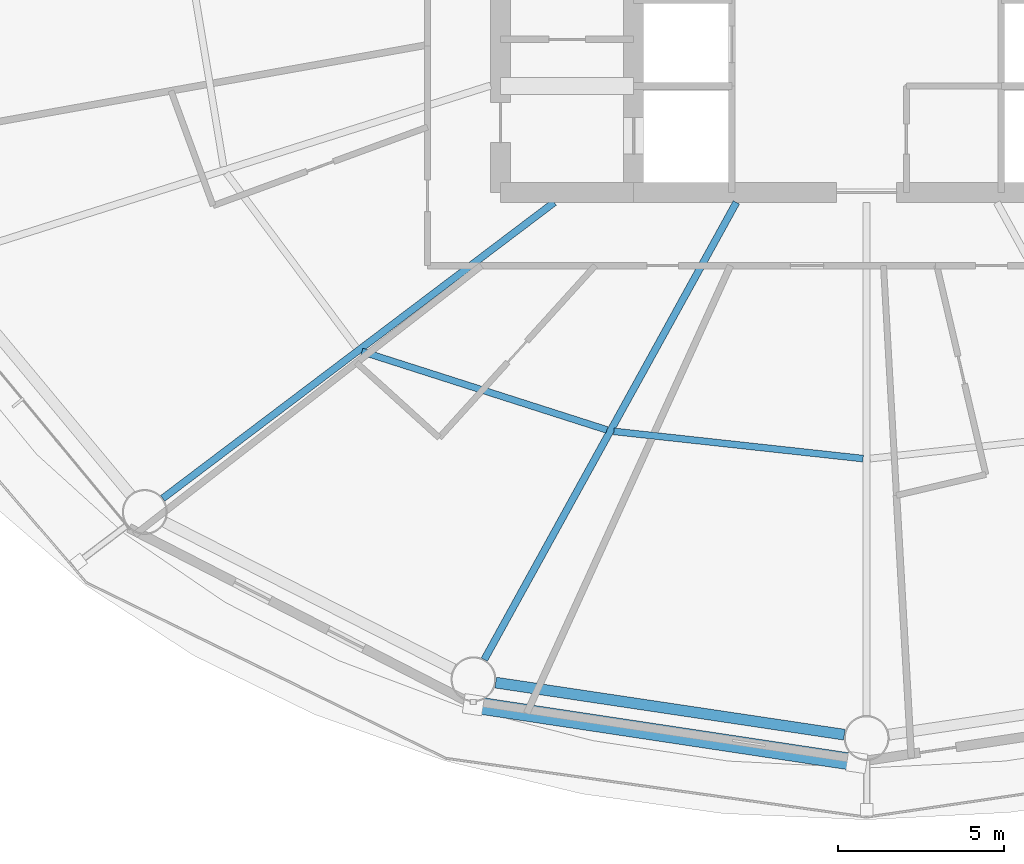
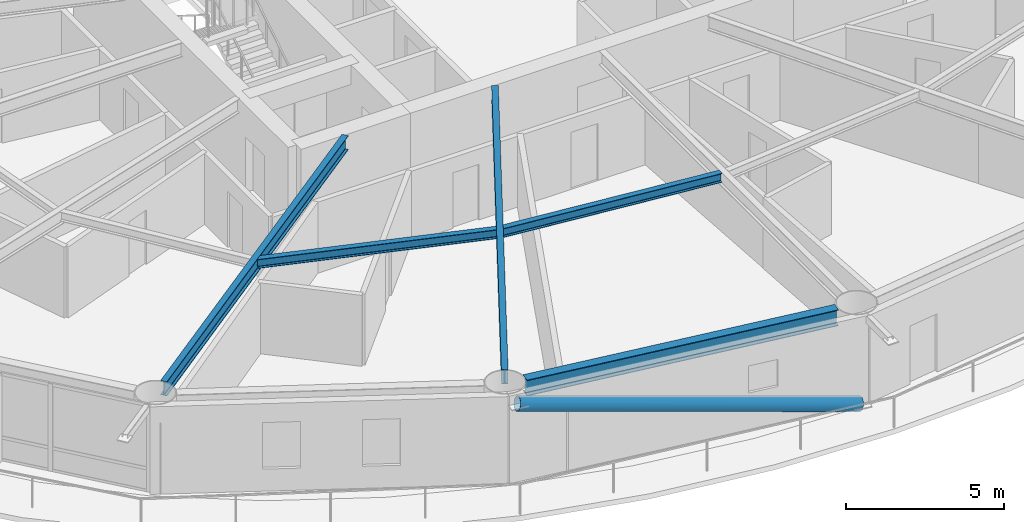
# One storey, part 3 of 26: 5 beams, 1 member.
"""IFC4 building model written with IfcOpenShell, lengths in metres."""

from ifc_helpers import new_model, si_unit, direction, frame, origin, origin_2d, place, context, subcontext, project, spatial, hollow_circle, i_section, extrude, material, material_profile, profile_set, type_object, element, save


model = new_model("IFC4")

# Units and contexts
model_context = context("Model", 3, precision=1e-05, world=origin(), true_north=direction((0.0, 1.0)))
body_context = subcontext(model_context, "Body", "Model", "MODEL_VIEW")
ifc_project = project(units=[si_unit("LENGTHUNIT", "METRE"), si_unit("AREAUNIT", "SQUARE_METRE"), si_unit("VOLUMEUNIT", "CUBIC_METRE"), si_unit("PLANEANGLEUNIT", "RADIAN"), si_unit("MASSUNIT", "GRAM", prefix="KILO")], contexts=[model_context])

# Site, building, storey
site_placement = place(None, origin())
site = spatial("IfcSite", under=ifc_project, at=site_placement, CompositionType="ELEMENT")
building_placement = place(site_placement, origin())
building = spatial("IfcBuilding", under=site, at=building_placement, Name="Sarneth Arch Tower", CompositionType="ELEMENT")
storey_placement = place(building_placement, frame((0.0, 0.0, 49.800048828125)))
storey = spatial("IfcBuildingStorey", under=building, at=storey_placement, Name="L11", CompositionType="ELEMENT", Elevation=49.800048828125)

# Beams
ifc_material_1 = material(Name="Steel S355", Category="steel")
ifc_material_profile_1 = material_profile(ifc_material_1, i_section(OverallWidth=0.2041015625, OverallDepth=0.35009765625, WebThickness=0.008544921875, FlangeThickness=0.01513671875, FilletRadius=0.014892578125, at=origin_2d()), Name="W360x72")
ifc_profile_set_1 = profile_set([ifc_material_profile_1], Name="Steel S355")
beam_type_1 = type_object("IfcBeamType", Name="BM-JOIST-360D", PredefinedType="JOIST", material=ifc_profile_set_1)
beam_1_placement = place(storey_placement, frame((32.82763671875, 30.41845703125, 3.204833984375), z_axis=(0.952436240143, -0.304737934073, 0.0), x_axis=(0.304737934073, 0.952436240143, 0.0)))
element("IfcBeam", 1, at=beam_1_placement, inside=storey, type_object=beam_type_1, Name="L11 Secondary floor joist 11", PredefinedType="JOIST", context=body_context, shape_type="SweptSolid", body=[
    extrude(i_section(OverallWidth=0.2041015625, OverallDepth=0.35009765625, WebThickness=0.008544921875, FlangeThickness=0.01513671875, FilletRadius=0.014892578125, at=origin_2d()), origin(), (0.0, 0.0, 1.0), 7.735107421875),
])
beam_2_placement = place(storey_placement, frame((40.403076171875, 28.016845703125, 3.204833984375), z_axis=(0.994095251924, -0.108510967657, 0.0), x_axis=(0.108510967657, 0.994095251924, 0.0)))
element("IfcBeam", 2, at=beam_2_placement, inside=storey, type_object=beam_type_1, Name="L11 Secondary floor joist 12", PredefinedType="JOIST", context=body_context, shape_type="SweptSolid", body=[
    extrude(i_section(OverallWidth=0.2041015625, OverallDepth=0.35009765625, WebThickness=0.008544921875, FlangeThickness=0.01513671875, FilletRadius=0.014892578125, at=origin_2d()), origin(), (0.0, 0.0, 1.0), 7.534912109375),
])
ifc_material_2 = material(Name="Steel S355", Category="steel")
ifc_material_profile_2 = material_profile(ifc_material_2, i_section(OverallWidth=0.214111328125, OverallDepth=0.549072265625, WebThickness=0.0146484375, FlangeThickness=0.023681640625, FilletRadius=0.01806640625, at=origin_2d()), Name="W530x138")
ifc_profile_set_2 = profile_set([ifc_material_profile_2], Name="Steel S355")
beam_type_2 = type_object("IfcBeamType", Name="BM-RAD-530A", PredefinedType="BEAM", material=ifc_profile_set_2)
beam_3_placement = place(storey_placement, frame((38.609619140625, 34.89990234375, 3.10546875), z_axis=(-0.797656612852, -0.603111870198, 0.0), x_axis=(0.603111870198, -0.797656612852, 0.0)))
element("IfcBeam", 3, at=beam_3_placement, inside=storey, type_object=beam_type_2, Name="L11 Radial floor girder 11", PredefinedType="BEAM", context=body_context, shape_type="SweptSolid", body=[
    extrude(i_section(OverallWidth=0.214111328125, OverallDepth=0.549072265625, WebThickness=0.0146484375, FlangeThickness=0.023681640625, FilletRadius=0.01806640625, at=origin_2d()), origin(), (0.0, 0.0, 1.0), 14.7529296875),
])
beam_4_placement = place(storey_placement, frame((44.08544921875, 34.89990234375, 3.10546875), z_axis=(-0.482837562311, -0.875709933952, 0.0), x_axis=(0.875709933952, -0.482837562311, 0.0)))
element("IfcBeam", 4, at=beam_4_placement, inside=storey, type_object=beam_type_2, Name="L11 Radial floor girder 12", PredefinedType="BEAM", context=body_context, shape_type="SweptSolid", body=[
    extrude(i_section(OverallWidth=0.214111328125, OverallDepth=0.549072265625, WebThickness=0.0146484375, FlangeThickness=0.023681640625, FilletRadius=0.01806640625, at=origin_2d()), origin(), (0.0, 0.0, 1.0), 15.693359375),
])
ifc_material_3 = material(Name="Steel S355", Category="steel")
ifc_material_profile_3 = material_profile(ifc_material_3, i_section(OverallWidth=0.326904296875, OverallDepth=0.6220703125, WebThickness=0.015380859375, FlangeThickness=0.0244140625, FilletRadius=0.01904296875, at=origin_2d()), Name="W610x195")
ifc_profile_set_3 = profile_set([ifc_material_profile_3], Name="Steel S355")
beam_type_3 = type_object("IfcBeamType", Name="BM-SPAN-610A", PredefinedType="SPANDREL", material=ifc_profile_set_3)
beam_5_placement = place(storey_placement, frame((36.849853515625, 20.46630859375, 3.06884765625), z_axis=(0.989015788086, -0.147809914809, 0.0), x_axis=(0.147809914809, 0.989015788086, 0.0)))
element("IfcBeam", 5, at=beam_5_placement, inside=storey, type_object=beam_type_3, Name="L11 Perimeter spandrel beam 12", PredefinedType="SPANDREL", context=body_context, shape_type="SweptSolid", body=[
    extrude(i_section(OverallWidth=0.326904296875, OverallDepth=0.6220703125, WebThickness=0.015380859375, FlangeThickness=0.0244140625, FilletRadius=0.01904296875, at=origin_2d()), origin(), (0.0, 0.0, 1.0), 10.59912109375),
])

# Member
ifc_material_4 = material(Name="Steel S355", Category="steel")
ifc_material_profile_4 = material_profile(ifc_material_4, hollow_circle(Radius=0.25390625, WallThickness=0.01611328125, at=origin_2d()), Name="CHS508x16")
ifc_profile_set_4 = profile_set([ifc_material_profile_4], Name="Steel S355")
member_type = type_object("IfcMemberType", Name="MEM-DIAG-BR1", PredefinedType="BRACE", material=ifc_profile_set_4)
member_placement = place(storey_placement, frame((47.703369140625, 18.064697265625, 0.02001953125), z_axis=(-0.957875899759, 0.144316613483, 0.248287083301), x_axis=(-0.1489817545, -0.988839944999, 0.0)))
element("IfcMember", 6, at=member_placement, inside=storey, type_object=member_type, Name="L11 Perimeter frame diagonal 12", PredefinedType="BRACE", context=body_context, shape_type="SweptSolid", body=[
    extrude(hollow_circle(Radius=0.25390625, WallThickness=0.01611328125, at=origin_2d()), origin(), (0.0, 0.0, 1.0), 12.02978515625),
])

save(model, "model.ifc")
